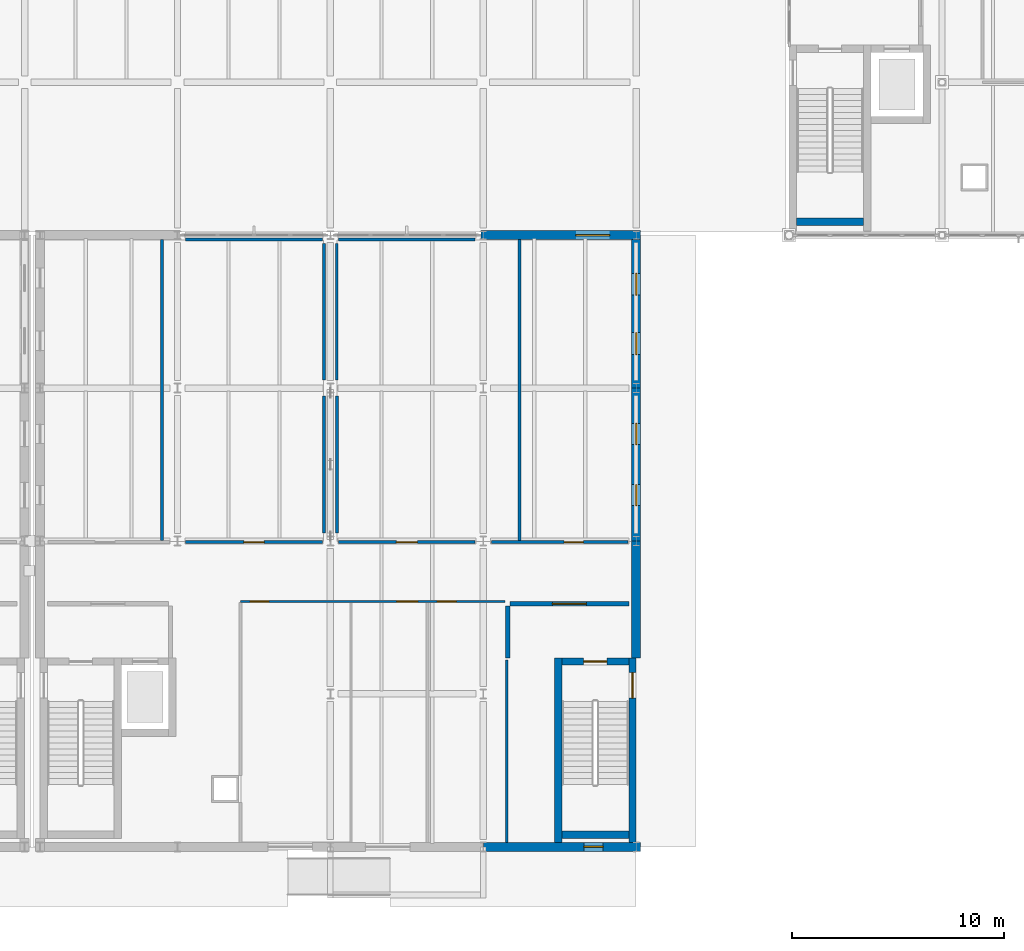
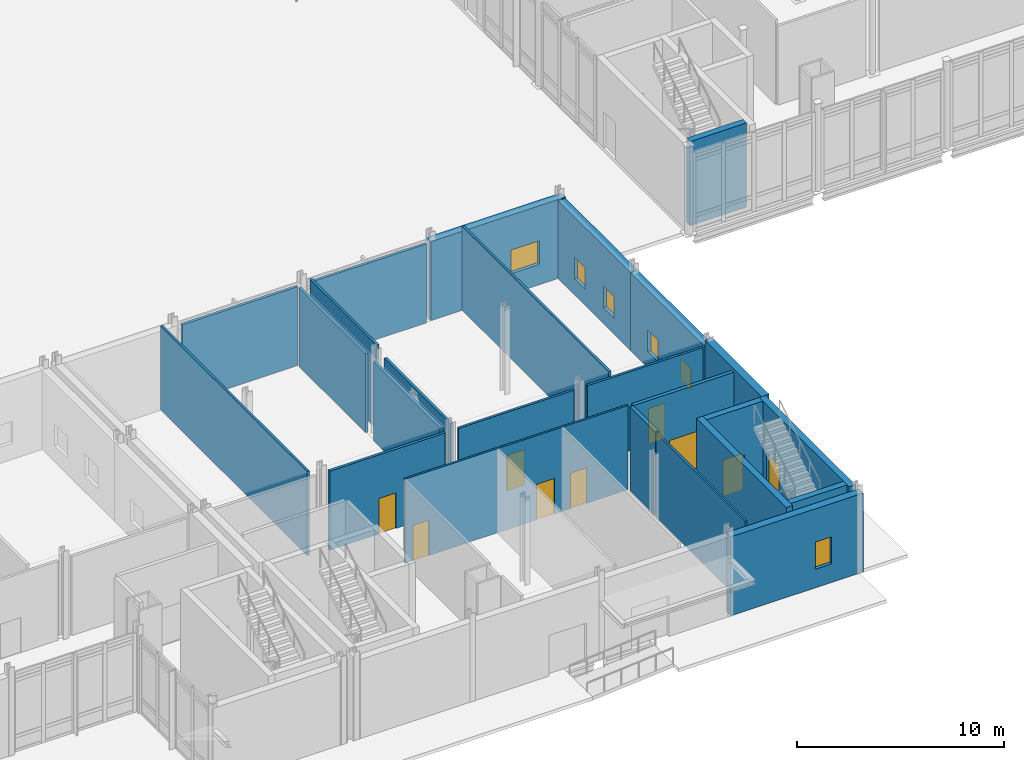
# One storey, part 64 of 89: 25 walls, 9 doors, 6 windows, 15 openings.
"""IFC4 building model written with IfcOpenShell, lengths in metres."""

from ifc_helpers import new_model, si_unit, direction, frame, frame_2d, origin, place, context, subcontext, project, spatial, rectangle, extrude, material, layer, layer_set, type_object, element, fill, save


model = new_model("IFC4")

# Units and contexts
model_context = context("Model", 3, precision=1e-05, world=origin(), true_north=direction((0.0, 1.0)))
body_context = subcontext(model_context, "Body", "Model", "MODEL_VIEW")
ifc_project = project(units=[si_unit("LENGTHUNIT", "METRE"), si_unit("AREAUNIT", "SQUARE_METRE"), si_unit("VOLUMEUNIT", "CUBIC_METRE"), si_unit("PLANEANGLEUNIT", "RADIAN"), si_unit("MASSUNIT", "GRAM", prefix="KILO")], contexts=[model_context])

# Site, building, storey
site_placement = place(None, origin())
site = spatial("IfcSite", under=ifc_project, at=site_placement, CompositionType="ELEMENT")
building_placement = place(site_placement, origin())
building = spatial("IfcBuilding", under=site, at=building_placement, Name="Zarrinpeak Specialist Clinic", CompositionType="ELEMENT")
storey_placement = place(building_placement, origin())
storey = spatial("IfcBuildingStorey", under=building, at=storey_placement, Name="L00", CompositionType="ELEMENT", Elevation=0.0)

# Walls
ifc_material_1 = material(Name="Concrete C40/50", Category="concrete")
ifc_layer_1 = layer(ifc_material_1, 0.35009765625)
ifc_layer_set_1 = layer_set([ifc_layer_1], Name="Concrete C40/50")
wall_type_1 = type_object("IfcWallType", Name="WL-CR350", PredefinedType="SHEAR", material=ifc_layer_set_1)
for number, where, z_axis, x_axis, name in (
    (1, (93.949951171875, 29.425048828125, 0.0), (0.0, 0.0, 1.0), (1.0, 0.0, 0.0), "L00 Core C05 Shear Wall STS"),
    (2, (82.89990234375, 0.574951171875, 0.0), (0.0, 0.0, 1.0), (1.0, 0.0, 0.0), "L00 Core C08 Shear Wall STS"),
):
    element("IfcWall", number, at=place(storey_placement, frame(where, z_axis=z_axis, x_axis=x_axis)), inside=storey, type_object=wall_type_1, Name=name, PredefinedType="SHEAR", context=body_context, shape_type="SweptSolid", body=[
        extrude(rectangle(XDim=3.150146484375, YDim=0.35009765625, at=frame_2d((1.5751953125, 0.0))), origin(), (0.0, 0.0, 1.0), 4.969970703125),
    ])

# Wall, opening, door
wall_1_placement = place(storey_placement, frame((82.89990234375, 8.72509765625, 0.0), z_axis=(0.0, 0.0, 1.0), x_axis=(1.0, 0.0, 0.0)))
wall_1 = element("IfcWall", 3, at=wall_1_placement, inside=storey, type_object=wall_type_1, Name="L00 Core C08 Shear Wall STN", PredefinedType="SHEAR", context=body_context, shape_type="SweptSolid", body=[
    extrude(rectangle(XDim=3.150146484375, YDim=0.35009765625, at=frame_2d((1.5751953125, 0.0))), origin(), (0.0, 0.0, 1.0), 4.969970703125),
])
opening_1_placement = place(wall_1_placement, frame((1.02490234375, 0.0, 0.0)))
opening_1 = element("IfcOpeningElement", 4, at=opening_1_placement, cuts=wall_1, Name="Opening D-S02", PredefinedType="OPENING", context=body_context, shape_type="SweptSolid", body=[
    extrude(rectangle(XDim=1.10009765625, YDim=2.14990234375, at=frame_2d((0.550048828125, 1.074951171875))), frame((0.0, 0.18505859375, 0.0), z_axis=(0.0, -1.0, 0.0), x_axis=(1.0, 0.0, 0.0)), (0.0, 0.0, 1.0), 0.3701171875),
])
ifc_material_2 = material(Name="Powder-Coated Galvanised Steel", Category="steel")
door_type_1 = type_object("IfcDoorType", Name="DR-FD110", OperationType="SINGLE_SWING_RIGHT", PredefinedType="DOOR", material=ifc_material_2)
door_1_placement = place(opening_1_placement, frame((1.10009765625, 0.0, 0.0), z_axis=(0.0, 0.0, 1.0), x_axis=(-1.0, 0.0, 0.0)))
door_1 = element("IfcDoor", 5, at=door_1_placement, inside=storey, type_object=door_type_1, Name="L00 Protected Stair ST-08 Fire Door", OperationType="SINGLE_SWING_RIGHT", OverallHeight=2.14990234375, OverallWidth=1.10009765625, PredefinedType="DOOR", context=body_context, shape_type="SweptSolid", body=[
    extrude(rectangle(XDim=1.10009765625, YDim=2.14990234375, at=frame_2d((0.550048828125, 1.074951171875))), frame((0.0, 0.02490234375, 0.0), z_axis=(0.0, -1.0, 0.0), x_axis=(1.0, 0.0, 0.0)), (0.0, 0.0, 1.0), 0.050048828125),
])
fill(opening_1, door_1)

# Wall
wall_2_placement = place(storey_placement, frame((82.72509765625, 0.2099609375, 0.0), z_axis=(0.0, 0.0, 1.0), x_axis=(0.0, 1.0, 0.0)))
element("IfcWall", 6, at=wall_2_placement, inside=storey, type_object=wall_type_1, Name="L00 Core C08 Shear Wall STW", PredefinedType="SHEAR", context=body_context, shape_type="SweptSolid", body=[
    extrude(rectangle(XDim=8.68994140625, YDim=0.35009765625, at=frame_2d((4.344970703125, 0.0))), origin(), (0.0, 0.0, 1.0), 4.969970703125),
])

# Wall, opening, door
wall_3_placement = place(storey_placement, frame((86.22509765625, 0.2099609375, 0.0), z_axis=(0.0, 0.0, 1.0), x_axis=(0.0, 1.0, 0.0)))
wall_3 = element("IfcWall", 7, at=wall_3_placement, inside=storey, type_object=wall_type_1, Name="L00 Core C08 Shear Wall STE", PredefinedType="SHEAR", context=body_context, shape_type="SweptSolid", body=[
    extrude(rectangle(XDim=8.68994140625, YDim=0.35009765625, at=frame_2d((4.344970703125, 0.0))), origin(), (0.0, 0.0, 1.0), 4.969970703125),
])
opening_2_placement = place(wall_3_placement, frame((6.7900390625, 0.0, 0.0)))
opening_2 = element("IfcOpeningElement", 8, at=opening_2_placement, cuts=wall_3, Name="Opening D-EX2", PredefinedType="OPENING", context=body_context, shape_type="SweptSolid", body=[
    extrude(rectangle(XDim=1.199951171875, YDim=2.14990234375, at=frame_2d((0.60009765625, 1.074951171875))), frame((0.0, 0.18505859375, 0.0), z_axis=(0.0, -1.0, 0.0), x_axis=(1.0, 0.0, 0.0)), (0.0, 0.0, 1.0), 0.3701171875),
])
ifc_material_3 = material(Name="Powder-Coated Steel and Safety Glazing", Category="steel")
door_type_2 = type_object("IfcDoorType", Name="DR-EX120", OperationType="SINGLE_SWING_LEFT", PredefinedType="DOOR", material=ifc_material_3)
door_2_placement = place(opening_2_placement, frame((1.199951171875, 0.0, 0.0), z_axis=(0.0, 0.0, 1.0), x_axis=(-1.0, 0.0, 0.0)))
door_2 = element("IfcDoor", 9, at=door_2_placement, inside=storey, type_object=door_type_2, Name="L00 Protected Stair ST-08 Final Exit Discharge Door ED-08", OperationType="SINGLE_SWING_LEFT", OverallHeight=2.14990234375, OverallWidth=1.199951171875, PredefinedType="DOOR", context=body_context, shape_type="SweptSolid", body=[
    extrude(rectangle(XDim=1.199951171875, YDim=2.14990234375, at=frame_2d((0.60009765625, 1.074951171875))), frame((0.0, 0.02490234375, 0.0), z_axis=(0.0, -1.0, 0.0), x_axis=(1.0, 0.0, 0.0)), (0.0, 0.0, 1.0), 0.050048828125),
])
fill(opening_2, door_2)

# Wall, opening, window
ifc_material_4 = material(Name="Precast concrete C40/50", Category="concrete")
ifc_layer_2 = layer(ifc_material_4, 0.419921875)
ifc_layer_set_2 = layer_set([ifc_layer_2], Name="Precast concrete C40/50")
wall_type_2 = type_object("IfcWallType", Name="WL-EW420", PredefinedType="STANDARD", material=ifc_layer_set_2)
wall_4_placement = place(storey_placement, frame((79.199951171875, 0.0, 0.0), z_axis=(0.0, 0.0, 1.0), x_axis=(1.0, 0.0, 0.0)))
wall_4 = element("IfcWall", 10, at=wall_4_placement, inside=storey, type_object=wall_type_2, Name="L00 V4 Exterior GRC Wall EW-L00-V4-0154", PredefinedType="STANDARD", context=body_context, shape_type="SweptSolid", body=[
    extrude(rectangle(XDim=7.41015625, YDim=0.419921875, at=frame_2d((3.705078125, 0.0))), origin(), (0.0, 0.0, 1.0), 4.6650390625),
])
opening_3_placement = place(wall_4_placement, frame((4.737060546875, 0.0, 1.10009765625)))
opening_3 = element("IfcOpeningElement", 11, at=opening_3_placement, cuts=wall_4, Name="Opening W-07", PredefinedType="OPENING", context=body_context, shape_type="SweptSolid", body=[
    extrude(rectangle(XDim=0.89990234375, YDim=1.60009765625, at=frame_2d((0.449951171875, 0.800048828125))), frame((0.0, 0.219970703125, 0.0), z_axis=(0.0, -1.0, 0.0), x_axis=(1.0, 0.0, 0.0)), (0.0, 0.0, 1.0), 0.43994140625),
])
ifc_material_5 = material(Name="Thermally Broken Aluminium and Low-E Glazing", Category="aluminium")
window_type_1 = type_object("IfcWindowType", Name="WN-OBS90", PartitioningType="SINGLE_PANEL", PredefinedType="WINDOW", material=ifc_material_5)
window_1_placement = place(opening_3_placement, origin())
window_1 = element("IfcWindow", 12, at=window_1_placement, inside=storey, type_object=window_type_1, Name="L00 Modular Facade Window WN-L00-0184", OverallHeight=1.60009765625, OverallWidth=0.89990234375, PartitioningType="SINGLE_PANEL", PredefinedType="WINDOW", context=body_context, shape_type="SweptSolid", body=[
    extrude(rectangle(XDim=0.89990234375, YDim=1.60009765625, at=frame_2d((0.449951171875, 0.800048828125))), frame((0.0, 0.030029296875, 0.0), z_axis=(0.0, -1.0, 0.0), x_axis=(1.0, 0.0, 0.0)), (0.0, 0.0, 1.0), 0.06005859375),
])
fill(opening_3, window_1)

wall_5_placement = place(storey_placement, frame((86.610107421875, 28.800048828125, 0.0), z_axis=(0.0, 0.0, 1.0), x_axis=(-1.0, 0.0, 0.0)))
wall_5 = element("IfcWall", 13, at=wall_5_placement, inside=storey, type_object=wall_type_2, Name="L00 V4 Exterior GRC Wall EW-L00-V4-0156", PredefinedType="STANDARD", context=body_context, shape_type="SweptSolid", body=[
    extrude(rectangle(XDim=7.52001953125, YDim=0.419921875, at=frame_2d((3.760009765625, 0.0))), origin(), (0.0, 0.0, 1.0), 4.6650390625),
])
opening_4_placement = place(wall_5_placement, frame((1.4560546875, 0.0, 1.199951171875)))
opening_4 = element("IfcOpeningElement", 14, at=opening_4_placement, cuts=wall_5, Name="Opening W-10", PredefinedType="OPENING", context=body_context, shape_type="SweptSolid", body=[
    extrude(rectangle(XDim=1.60009765625, YDim=1.39990234375, at=frame_2d((0.800048828125, 0.699951171875))), frame((0.0, 0.219970703125, 0.0), z_axis=(0.0, -1.0, 0.0), x_axis=(1.0, 0.0, 0.0)), (0.0, 0.0, 1.0), 0.43994140625),
])
window_type_2 = type_object("IfcWindowType", Name="WN-NRS160", PartitioningType="SINGLE_PANEL", PredefinedType="WINDOW", material=ifc_material_5)
window_2_placement = place(opening_4_placement, origin())
window_2 = element("IfcWindow", 15, at=window_2_placement, inside=storey, type_object=window_type_2, Name="L00 Modular Facade Window WN-L00-0185", OverallHeight=1.39990234375, OverallWidth=1.60009765625, PartitioningType="SINGLE_PANEL", PredefinedType="WINDOW", context=body_context, shape_type="SweptSolid", body=[
    extrude(rectangle(XDim=1.60009765625, YDim=1.39990234375, at=frame_2d((0.800048828125, 0.699951171875))), frame((0.0, 0.030029296875, 0.0), z_axis=(0.0, -1.0, 0.0), x_axis=(1.0, 0.0, 0.0)), (0.0, 0.0, 1.0), 0.06005859375),
])
fill(opening_4, window_2)

# Wall
wall_6_placement = place(storey_placement, frame((86.39990234375, 8.89990234375, 0.0), z_axis=(0.0, 0.0, 1.0), x_axis=(0.0, 1.0, 0.0)))
element("IfcWall", 16, at=wall_6_placement, inside=storey, type_object=wall_type_2, Name="L00 V4 Exterior GRC Wall EW-L00-V4-0161", PredefinedType="STANDARD", context=body_context, shape_type="SweptSolid", body=[
    extrude(rectangle(XDim=5.5, YDim=0.419921875, at=frame_2d((2.75, 0.0))), origin(), (0.0, 0.0, 1.0), 4.969970703125),
])

# Wall, openings, windows
wall_7_placement = place(storey_placement, frame((86.39990234375, 14.39990234375, 0.0), z_axis=(0.0, 0.0, 1.0), x_axis=(0.0, 1.0, 0.0)))
wall_7 = element("IfcWall", 17, at=wall_7_placement, inside=storey, type_object=wall_type_2, Name="L00 V4 Exterior GRC Wall EW-L00-V4-0162", PredefinedType="STANDARD", context=body_context, shape_type="SweptSolid", body=[
    extrude(rectangle(XDim=7.2001953125, YDim=0.419921875, at=frame_2d((3.60009765625, 0.0))), origin(), (0.0, 0.0, 1.0), 4.594970703125),
])
opening_5_placement = place(wall_7_placement, frame((1.662109375, 0.0, 0.949951171875)))
opening_5 = element("IfcOpeningElement", 18, at=opening_5_placement, cuts=wall_7, Name="Opening WS-05", PredefinedType="OPENING", context=body_context, shape_type="SweptSolid", body=[
    extrude(rectangle(XDim=0.99609375, YDim=1.260009765625, at=frame_2d((0.498046875, 0.6298828125))), frame((0.0, 0.219970703125, 0.0), z_axis=(0.0, -1.0, 0.0), x_axis=(1.0, 0.0, 0.0)), (0.0, 0.0, 1.0), 0.43994140625),
])
opening_6_placement = place(wall_7_placement, frame((4.5419921875, 0.0, 0.949951171875)))
opening_6 = element("IfcOpeningElement", 19, at=opening_6_placement, cuts=wall_7, Name="Opening WS-05", PredefinedType="OPENING", context=body_context, shape_type="SweptSolid", body=[
    extrude(rectangle(XDim=0.99609375, YDim=1.260009765625, at=frame_2d((0.498046875, 0.6298828125))), frame((0.0, 0.219970703125, 0.0), z_axis=(0.0, -1.0, 0.0), x_axis=(1.0, 0.0, 0.0)), (0.0, 0.0, 1.0), 0.43994140625),
])
window_type_3 = type_object("IfcWindowType", Name="WN-SP05", PartitioningType="SINGLE_PANEL", PredefinedType="WINDOW", material=ifc_material_5)
window_3_placement = place(opening_5_placement, origin())
window_3 = element("IfcWindow", 20, at=window_3_placement, inside=storey, type_object=window_type_3, Name="L00 Modular Facade Window WN-L00-0190", OverallHeight=1.260009765625, OverallWidth=0.99609375, PartitioningType="SINGLE_PANEL", PredefinedType="WINDOW", context=body_context, shape_type="SweptSolid", body=[
    extrude(rectangle(XDim=0.99609375, YDim=1.260009765625, at=frame_2d((0.498046875, 0.6298828125))), frame((0.0, 0.030029296875, 0.0), z_axis=(0.0, -1.0, 0.0), x_axis=(1.0, 0.0, 0.0)), (0.0, 0.0, 1.0), 0.06005859375),
])
fill(opening_5, window_3)
window_4_placement = place(opening_6_placement, origin())
window_4 = element("IfcWindow", 21, at=window_4_placement, inside=storey, type_object=window_type_3, Name="L00 Modular Facade Window WN-L00-0191", OverallHeight=1.260009765625, OverallWidth=0.99609375, PartitioningType="SINGLE_PANEL", PredefinedType="WINDOW", context=body_context, shape_type="SweptSolid", body=[
    extrude(rectangle(XDim=0.99609375, YDim=1.260009765625, at=frame_2d((0.498046875, 0.6298828125))), frame((0.0, 0.030029296875, 0.0), z_axis=(0.0, -1.0, 0.0), x_axis=(1.0, 0.0, 0.0)), (0.0, 0.0, 1.0), 0.06005859375),
])
fill(opening_6, window_4)

wall_8_placement = place(storey_placement, frame((86.39990234375, 21.60009765625, 0.0), z_axis=(0.0, 0.0, 1.0), x_axis=(0.0, 1.0, 0.0)))
wall_8 = element("IfcWall", 22, at=wall_8_placement, inside=storey, type_object=wall_type_2, Name="L00 V4 Exterior GRC Wall EW-L00-V4-0163", PredefinedType="STANDARD", context=body_context, shape_type="SweptSolid", body=[
    extrude(rectangle(XDim=6.989990234375, YDim=0.419921875, at=frame_2d((3.4951171875, 0.0))), origin(), (0.0, 0.0, 1.0), 4.594970703125),
])
opening_7_placement = place(wall_8_placement, frame((1.58203125, 0.0, 0.949951171875)))
opening_7 = element("IfcOpeningElement", 23, at=opening_7_placement, cuts=wall_8, Name="Opening WS-06", PredefinedType="OPENING", context=body_context, shape_type="SweptSolid", body=[
    extrude(rectangle(XDim=1.030029296875, YDim=1.260009765625, at=frame_2d((0.51513671875, 0.6298828125))), frame((0.0, 0.219970703125, 0.0), z_axis=(0.0, -1.0, 0.0), x_axis=(1.0, 0.0, 0.0)), (0.0, 0.0, 1.0), 0.43994140625),
])
opening_8_placement = place(wall_8_placement, frame((4.3779296875, 0.0, 0.949951171875)))
opening_8 = element("IfcOpeningElement", 24, at=opening_8_placement, cuts=wall_8, Name="Opening WS-06", PredefinedType="OPENING", context=body_context, shape_type="SweptSolid", body=[
    extrude(rectangle(XDim=1.030029296875, YDim=1.260009765625, at=frame_2d((0.51513671875, 0.6298828125))), frame((0.0, 0.219970703125, 0.0), z_axis=(0.0, -1.0, 0.0), x_axis=(1.0, 0.0, 0.0)), (0.0, 0.0, 1.0), 0.43994140625),
])
window_type_4 = type_object("IfcWindowType", Name="WN-SP06", PartitioningType="SINGLE_PANEL", PredefinedType="WINDOW", material=ifc_material_5)
window_5_placement = place(opening_7_placement, origin())
window_5 = element("IfcWindow", 25, at=window_5_placement, inside=storey, type_object=window_type_4, Name="L00 Modular Facade Window WN-L00-0192", OverallHeight=1.260009765625, OverallWidth=1.030029296875, PartitioningType="SINGLE_PANEL", PredefinedType="WINDOW", context=body_context, shape_type="SweptSolid", body=[
    extrude(rectangle(XDim=1.030029296875, YDim=1.260009765625, at=frame_2d((0.51513671875, 0.6298828125))), frame((0.0, 0.030029296875, 0.0), z_axis=(0.0, -1.0, 0.0), x_axis=(1.0, 0.0, 0.0)), (0.0, 0.0, 1.0), 0.06005859375),
])
fill(opening_7, window_5)
window_6_placement = place(opening_8_placement, origin())
window_6 = element("IfcWindow", 26, at=window_6_placement, inside=storey, type_object=window_type_4, Name="L00 Modular Facade Window WN-L00-0193", OverallHeight=1.260009765625, OverallWidth=1.030029296875, PartitioningType="SINGLE_PANEL", PredefinedType="WINDOW", context=body_context, shape_type="SweptSolid", body=[
    extrude(rectangle(XDim=1.030029296875, YDim=1.260009765625, at=frame_2d((0.51513671875, 0.6298828125))), frame((0.0, 0.030029296875, 0.0), z_axis=(0.0, -1.0, 0.0), x_axis=(1.0, 0.0, 0.0)), (0.0, 0.0, 1.0), 0.06005859375),
])
fill(opening_8, window_6)

# Wall, openings, doors
ifc_material_6 = material(Name="Sanitary Service Chase Plumbing Wall", Category="gypsum")
ifc_layer_3 = layer(ifc_material_6, 0.110107421875)
ifc_layer_set_3 = layer_set([ifc_layer_3], Name="Sanitary Service Chase Plumbing Wall")
wall_type_3 = type_object("IfcWallType", Name="WL-IW110", PredefinedType="PARTITIONING", material=ifc_layer_set_3)
wall_9_placement = place(storey_placement, frame((67.77001953125, 11.550048828125, 0.0), z_axis=(0.0, 0.0, 1.0), x_axis=(1.0, 0.0, 0.0)))
wall_9 = element("IfcWall", 27, at=wall_9_placement, inside=storey, type_object=wall_type_3, Name="L00 Accessible Patient WC Partition", PredefinedType="PARTITIONING", context=body_context, shape_type="SweptSolid", body=[
    extrude(rectangle(XDim=12.4599609375, YDim=0.110107421875, at=frame_2d((6.22998046875, 0.0))), origin(), (0.0, 0.0, 1.0), 4.969970703125),
])
opening_9_placement = place(wall_9_placement, frame((7.35009765625, 0.0, 0.0)))
opening_9 = element("IfcOpeningElement", 28, at=opening_9_placement, cuts=wall_9, Name="Opening D-W02", PredefinedType="OPENING", context=body_context, shape_type="SweptSolid", body=[
    extrude(rectangle(XDim=1.0, YDim=2.10009765625, at=frame_2d((0.5, 1.050048828125))), frame((0.0, 0.06494140625, 0.0), z_axis=(0.0, -1.0, 0.0), x_axis=(1.0, 0.0, 0.0)), (0.0, 0.0, 1.0), 0.130126953125),
])
opening_10_placement = place(wall_9_placement, frame((9.25, 0.0, 0.0)))
opening_10 = element("IfcOpeningElement", 29, at=opening_10_placement, cuts=wall_9, Name="Opening D-W01", PredefinedType="OPENING", context=body_context, shape_type="SweptSolid", body=[
    extrude(rectangle(XDim=0.89990234375, YDim=2.10009765625, at=frame_2d((0.449951171875, 1.050048828125))), frame((0.0, 0.06494140625, 0.0), z_axis=(0.0, -1.0, 0.0), x_axis=(1.0, 0.0, 0.0)), (0.0, 0.0, 1.0), 0.130126953125),
])
opening_11_placement = place(wall_9_placement, frame((0.449951171875, 0.0, 0.0)))
opening_11 = element("IfcOpeningElement", 30, at=opening_11_placement, cuts=wall_9, Name="Opening DS-27", PredefinedType="OPENING", context=body_context, shape_type="SweptSolid", body=[
    extrude(rectangle(XDim=0.8798828125, YDim=2.095947265625, at=frame_2d((0.43994140625, 1.0478515625))), frame((0.0, 0.06494140625, 0.0), z_axis=(0.0, -1.0, 0.0), x_axis=(1.0, 0.0, 0.0)), (0.0, 0.0, 1.0), 0.130126953125),
])
door_type_3 = type_object("IfcDoorType", Name="DR-AWC100", OperationType="SLIDING_TO_LEFT", PredefinedType="DOOR", material=ifc_material_2)
door_3_placement = place(opening_9_placement, origin())
door_3 = element("IfcDoor", 31, at=door_3_placement, inside=storey, type_object=door_type_3, Name="L00 Accessible Patient WC Door", OperationType="SLIDING_TO_LEFT", OverallHeight=2.10009765625, OverallWidth=1.0, PredefinedType="DOOR", context=body_context, shape_type="SweptSolid", body=[
    extrude(rectangle(XDim=1.0, YDim=2.10009765625, at=frame_2d((0.5, 1.050048828125))), frame((0.0, 0.02490234375, 0.0), z_axis=(0.0, -1.0, 0.0), x_axis=(1.0, 0.0, 0.0)), (0.0, 0.0, 1.0), 0.050048828125),
])
fill(opening_9, door_3)
door_type_4 = type_object("IfcDoorType", Name="DR-SP27", OperationType="SINGLE_SWING_RIGHT", PredefinedType="DOOR", material=ifc_material_2)
door_4_placement = place(opening_11_placement, origin())
door_4 = element("IfcDoor", 32, at=door_4_placement, inside=storey, type_object=door_type_4, Name="L00 Day Surgery Admissions Lounge Door", OperationType="SINGLE_SWING_RIGHT", OverallHeight=2.095947265625, OverallWidth=0.8798828125, PredefinedType="DOOR", context=body_context, shape_type="SweptSolid", body=[
    extrude(rectangle(XDim=0.8798828125, YDim=2.095947265625, at=frame_2d((0.43994140625, 1.0478515625))), frame((0.0, 0.02490234375, 0.0), z_axis=(0.0, -1.0, 0.0), x_axis=(1.0, 0.0, 0.0)), (0.0, 0.0, 1.0), 0.050048828125),
])
fill(opening_11, door_4)
door_type_5 = type_object("IfcDoorType", Name="DR-WC90", OperationType="SINGLE_SWING_RIGHT", PredefinedType="DOOR", material=ifc_material_2)
door_5_placement = place(opening_10_placement, origin())
door_5 = element("IfcDoor", 33, at=door_5_placement, inside=storey, type_object=door_type_5, Name="L00 Companion Washroom Door", OperationType="SINGLE_SWING_RIGHT", OverallHeight=2.10009765625, OverallWidth=0.89990234375, PredefinedType="DOOR", context=body_context, shape_type="SweptSolid", body=[
    extrude(rectangle(XDim=0.89990234375, YDim=2.10009765625, at=frame_2d((0.449951171875, 1.050048828125))), frame((0.0, 0.02490234375, 0.0), z_axis=(0.0, -1.0, 0.0), x_axis=(1.0, 0.0, 0.0)), (0.0, 0.0, 1.0), 0.050048828125),
])
fill(opening_10, door_5)

# Wall
wall_10_placement = place(storey_placement, frame((80.300048828125, 0.199951171875, 0.0), z_axis=(0.0, 0.0, 1.0), x_axis=(0.0, 1.0, 0.0)))
element("IfcWall", 34, at=wall_10_placement, inside=storey, type_object=wall_type_3, Name="L00 Companion Washroom Dividing Partition", PredefinedType="PARTITIONING", context=body_context, shape_type="SweptSolid", body=[
    extrude(rectangle(XDim=8.60009765625, YDim=0.110107421875, at=frame_2d((4.300048828125, 0.0))), origin(), (0.0, 0.0, 1.0), 4.969970703125),
])

# Wall, opening, door
ifc_material_7 = material(Name="Standard Drywall Partition", Category="gypsum")
ifc_layer_4 = layer(ifc_material_7, 0.135009765625)
ifc_layer_set_4 = layer_set([ifc_layer_4], Name="Standard Drywall Partition")
wall_type_4 = type_object("IfcWallType", Name="WL-IW135", PredefinedType="PARTITIONING", material=ifc_layer_set_4)
wall_11_placement = place(storey_placement, frame((72.3798828125, 14.35009765625, 0.0), z_axis=(0.0, 0.0, 1.0), x_axis=(1.0, 0.0, 0.0)))
wall_11 = element("IfcWall", 35, at=wall_11_placement, inside=storey, type_object=wall_type_4, Name="L00 Pre-Operative Assessment Room Partition", PredefinedType="PARTITIONING", context=body_context, shape_type="SweptSolid", body=[
    extrude(rectangle(XDim=6.440185546875, YDim=0.135009765625, at=frame_2d((3.22021484375, 0.0))), origin(), (0.0, 0.0, 1.0), 4.6650390625),
])
opening_12_placement = place(wall_11_placement, frame((2.72802734375, 0.0, 0.0)))
opening_12 = element("IfcOpeningElement", 36, at=opening_12_placement, cuts=wall_11, Name="Opening DS-31", PredefinedType="OPENING", context=body_context, shape_type="SweptSolid", body=[
    extrude(rectangle(XDim=0.98388671875, YDim=2.095947265625, at=frame_2d((0.491943359375, 1.0478515625))), frame((0.0, 0.07763671875, 0.0), z_axis=(0.0, -1.0, 0.0), x_axis=(1.0, 0.0, 0.0)), (0.0, 0.0, 1.0), 0.155029296875),
])
door_type_6 = type_object("IfcDoorType", Name="DR-SP31", OperationType="SINGLE_SWING_RIGHT", PredefinedType="DOOR", material=ifc_material_2)
door_6_placement = place(opening_12_placement, frame((0.98388671875, 0.0, 0.0), z_axis=(0.0, 0.0, 1.0), x_axis=(-1.0, 0.0, 0.0)))
door_6 = element("IfcDoor", 37, at=door_6_placement, inside=storey, type_object=door_type_6, Name="L00 Specialist Consultation Room 2 Door", OperationType="SINGLE_SWING_RIGHT", OverallHeight=2.095947265625, OverallWidth=0.98388671875, PredefinedType="DOOR", context=body_context, shape_type="SweptSolid", body=[
    extrude(rectangle(XDim=0.98388671875, YDim=2.095947265625, at=frame_2d((0.491943359375, 1.0478515625))), frame((0.0, 0.02490234375, 0.0), z_axis=(0.0, -1.0, 0.0), x_axis=(1.0, 0.0, 0.0)), (0.0, 0.0, 1.0), 0.050048828125),
])
fill(opening_12, door_6)

wall_12_placement = place(storey_placement, frame((79.580078125, 14.35009765625, 0.0), z_axis=(0.0, 0.0, 1.0), x_axis=(1.0, 0.0, 0.0)))
wall_12 = element("IfcWall", 38, at=wall_12_placement, inside=storey, type_object=wall_type_4, Name="L00 Pre-Operative Assessment Room Partition", PredefinedType="PARTITIONING", context=body_context, shape_type="SweptSolid", body=[
    extrude(rectangle(XDim=6.43994140625, YDim=0.135009765625, at=frame_2d((3.219970703125, 0.0))), origin(), (0.0, 0.0, 1.0), 4.6650390625),
])
opening_13_placement = place(wall_12_placement, frame((3.427001953125, 0.0, 0.0)))
opening_13 = element("IfcOpeningElement", 39, at=opening_13_placement, cuts=wall_12, Name="Opening DS-28", PredefinedType="OPENING", context=body_context, shape_type="SweptSolid", body=[
    extrude(rectangle(XDim=0.906005859375, YDim=2.095947265625, at=frame_2d((0.453125, 1.0478515625))), frame((0.0, 0.07763671875, 0.0), z_axis=(0.0, -1.0, 0.0), x_axis=(1.0, 0.0, 0.0)), (0.0, 0.0, 1.0), 0.155029296875),
])
door_type_7 = type_object("IfcDoorType", Name="DR-SP28", OperationType="SINGLE_SWING_LEFT", PredefinedType="DOOR", material=ifc_material_2)
door_7_placement = place(opening_13_placement, frame((0.906005859375, 0.0, 0.0), z_axis=(0.0, 0.0, 1.0), x_axis=(-1.0, 0.0, 0.0)))
door_7 = element("IfcDoor", 40, at=door_7_placement, inside=storey, type_object=door_type_7, Name="L00 Pre-Operative Assessment Room Door", OperationType="SINGLE_SWING_LEFT", OverallHeight=2.095947265625, OverallWidth=0.906005859375, PredefinedType="DOOR", context=body_context, shape_type="SweptSolid", body=[
    extrude(rectangle(XDim=0.906005859375, YDim=2.095947265625, at=frame_2d((0.453125, 1.0478515625))), frame((0.0, 0.02490234375, 0.0), z_axis=(0.0, -1.0, 0.0), x_axis=(1.0, 0.0, 0.0)), (0.0, 0.0, 1.0), 0.050048828125),
])
fill(opening_13, door_7)

# Walls
wall_13_placement = place(storey_placement, frame((64.070068359375, 14.425048828125, 0.0), z_axis=(0.0, 0.0, 1.0), x_axis=(0.0, 1.0, 0.0)))
element("IfcWall", 41, at=wall_13_placement, inside=storey, type_object=wall_type_4, Name="L00 Discharge Lounge Dividing Partition", PredefinedType="PARTITIONING", context=body_context, shape_type="SweptSolid", body=[
    extrude(rectangle(XDim=14.175048828125, YDim=0.135009765625, at=frame_2d((7.08740234375, 0.0))), origin(), (0.0, 0.0, 1.0), 4.969970703125),
])
wall_14_placement = place(storey_placement, frame((72.300048828125, 21.97998046875, 0.0), z_axis=(0.0, 0.0, 1.0), x_axis=(0.0, 1.0, 0.0)))
element("IfcWall", 42, at=wall_14_placement, inside=storey, type_object=wall_type_4, Name="L00 Specialist Consultation Room 2 Dividing Partition", PredefinedType="PARTITIONING", context=body_context, shape_type="SweptSolid", body=[
    extrude(rectangle(XDim=6.43994140625, YDim=0.135009765625, at=frame_2d((3.219970703125, 0.0))), origin(), (0.0, 0.0, 1.0), 4.969970703125),
])
wall_15_placement = place(storey_placement, frame((80.89990234375, 14.41748046875, 0.0), z_axis=(0.0, 0.0, 1.0), x_axis=(0.0, 1.0, 0.0)))
element("IfcWall", 43, at=wall_15_placement, inside=storey, type_object=wall_type_4, Name="L00 Pre-Operative Assessment Room Dividing Partition", PredefinedType="PARTITIONING", context=body_context, shape_type="SweptSolid", body=[
    extrude(rectangle(XDim=14.1826171875, YDim=0.135009765625, at=frame_2d((7.09130859375, 0.0))), origin(), (0.0, 0.0, 1.0), 4.969970703125),
])
ifc_material_8 = material(Name="Acoustic Consultation Stud Partition", Category="gypsum")
ifc_layer_5 = layer(ifc_material_8, 0.14208984375)
ifc_layer_set_5 = layer_set([ifc_layer_5], Name="Acoustic Consultation Stud Partition")
wall_type_5 = type_object("IfcWallType", Name="WL-IW142", PredefinedType="PARTITIONING", material=ifc_layer_set_5)
wall_16_placement = place(storey_placement, frame((72.3798828125, 28.60009765625, 0.0), z_axis=(0.0, 0.0, 1.0), x_axis=(1.0, 0.0, 0.0)))
element("IfcWall", 44, at=wall_16_placement, inside=storey, type_object=wall_type_5, Name="L00 Specialist Consultation Room 2 Partition", PredefinedType="PARTITIONING", context=body_context, shape_type="SweptSolid", body=[
    extrude(rectangle(XDim=6.440185546875, YDim=0.14208984375, at=frame_2d((3.22021484375, 0.0))), origin(), (0.0, 0.0, 1.0), 4.6650390625),
])
wall_17_placement = place(storey_placement, frame((72.300048828125, 14.780029296875, 0.0), z_axis=(0.0, 0.0, 1.0), x_axis=(0.0, 1.0, 0.0)))
element("IfcWall", 45, at=wall_17_placement, inside=storey, type_object=wall_type_5, Name="L00 Specialist Consultation Room 2 Dividing Partition", PredefinedType="PARTITIONING", context=body_context, shape_type="SweptSolid", body=[
    extrude(rectangle(XDim=6.43994140625, YDim=0.14208984375, at=frame_2d((3.219970703125, 0.0))), origin(), (0.0, 0.0, 1.0), 4.6650390625),
])

# Wall, opening, door
ifc_material_9 = material(Name="Insulated Clinical Gypsum Stud Partition", Category="gypsum")
ifc_layer_6 = layer(ifc_material_9, 0.14990234375)
ifc_layer_set_6 = layer_set([ifc_layer_6], Name="Insulated Clinical Gypsum Stud Partition")
wall_type_6 = type_object("IfcWallType", Name="WL-IW150", PredefinedType="PARTITIONING", material=ifc_layer_set_6)
wall_18_placement = place(storey_placement, frame((65.179931640625, 14.35009765625, 0.0), z_axis=(0.0, 0.0, 1.0), x_axis=(1.0, 0.0, 0.0)))
wall_18 = element("IfcWall", 46, at=wall_18_placement, inside=storey, type_object=wall_type_6, Name="L00 Discharge Lounge Partition", PredefinedType="PARTITIONING", context=body_context, shape_type="SweptSolid", body=[
    extrude(rectangle(XDim=6.440185546875, YDim=0.14990234375, at=frame_2d((3.22021484375, 0.0))), origin(), (0.0, 0.0, 1.0), 4.6650390625),
])
opening_14_placement = place(wall_18_placement, frame((2.740966796875, 0.0, 0.0)))
opening_14 = element("IfcOpeningElement", 47, at=opening_14_placement, cuts=wall_18, Name="Opening DS-30", PredefinedType="OPENING", context=body_context, shape_type="SweptSolid", body=[
    extrude(rectangle(XDim=0.9580078125, YDim=2.095947265625, at=frame_2d((0.47900390625, 1.0478515625))), frame((0.0, 0.0849609375, 0.0), z_axis=(0.0, -1.0, 0.0), x_axis=(1.0, 0.0, 0.0)), (0.0, 0.0, 1.0), 0.169921875),
])
door_type_8 = type_object("IfcDoorType", Name="DR-SP30", OperationType="SINGLE_SWING_LEFT", PredefinedType="DOOR", material=ifc_material_2)
door_8_placement = place(opening_14_placement, frame((0.9580078125, 0.0, 0.0), z_axis=(0.0, 0.0, 1.0), x_axis=(-1.0, 0.0, 0.0)))
door_8 = element("IfcDoor", 48, at=door_8_placement, inside=storey, type_object=door_type_8, Name="L00 Specialist Consultation Room 1 Door", OperationType="SINGLE_SWING_LEFT", OverallHeight=2.095947265625, OverallWidth=0.9580078125, PredefinedType="DOOR", context=body_context, shape_type="SweptSolid", body=[
    extrude(rectangle(XDim=0.9580078125, YDim=2.095947265625, at=frame_2d((0.47900390625, 1.0478515625))), frame((0.0, 0.02490234375, 0.0), z_axis=(0.0, -1.0, 0.0), x_axis=(1.0, 0.0, 0.0)), (0.0, 0.0, 1.0), 0.050048828125),
])
fill(opening_14, door_8)

# Walls
wall_19_placement = place(storey_placement, frame((65.179931640625, 28.60009765625, 0.0), z_axis=(0.0, 0.0, 1.0), x_axis=(1.0, 0.0, 0.0)))
element("IfcWall", 49, at=wall_19_placement, inside=storey, type_object=wall_type_6, Name="L00 Specialist Consultation Room 1 Partition", PredefinedType="PARTITIONING", context=body_context, shape_type="SweptSolid", body=[
    extrude(rectangle(XDim=6.440185546875, YDim=0.14990234375, at=frame_2d((3.22021484375, 0.0))), origin(), (0.0, 0.0, 1.0), 4.6650390625),
])
wall_20_placement = place(storey_placement, frame((71.699951171875, 21.97998046875, 0.0), z_axis=(0.0, 0.0, 1.0), x_axis=(0.0, 1.0, 0.0)))
element("IfcWall", 50, at=wall_20_placement, inside=storey, type_object=wall_type_6, Name="L00 Specialist Consultation Room 1 Dividing Partition", PredefinedType="PARTITIONING", context=body_context, shape_type="SweptSolid", body=[
    extrude(rectangle(XDim=6.43994140625, YDim=0.14990234375, at=frame_2d((3.219970703125, 0.0))), origin(), (0.0, 0.0, 1.0), 4.6650390625),
])
ifc_material_10 = material(Name="Acoustic Double Gypsum Stud Partition", Category="gypsum")
ifc_layer_7 = layer(ifc_material_10, 0.159912109375)
ifc_layer_set_7 = layer_set([ifc_layer_7], Name="Acoustic Double Gypsum Stud Partition")
wall_type_7 = type_object("IfcWallType", Name="WL-IW160", PredefinedType="PARTITIONING", material=ifc_layer_set_7)
wall_21_placement = place(storey_placement, frame((71.699951171875, 14.780029296875, 0.0), z_axis=(0.0, 0.0, 1.0), x_axis=(0.0, 1.0, 0.0)))
element("IfcWall", 51, at=wall_21_placement, inside=storey, type_object=wall_type_7, Name="L00 Specialist Consultation Room 1 Dividing Partition", PredefinedType="PARTITIONING", context=body_context, shape_type="SweptSolid", body=[
    extrude(rectangle(XDim=6.43994140625, YDim=0.159912109375, at=frame_2d((3.219970703125, 0.0))), origin(), (0.0, 0.0, 1.0), 4.6650390625),
])

# Wall, opening, door
ifc_material_11 = material(Name="Autoclaved Aerated Concrete Blockwork", Category="masonry")
ifc_layer_8 = layer(ifc_material_11, 0.199951171875)
ifc_layer_set_8 = layer_set([ifc_layer_8], Name="Autoclaved Aerated Concrete Blockwork")
wall_type_8 = type_object("IfcWallType", Name="WL-IW200", PredefinedType="PARTITIONING", material=ifc_layer_set_8)
wall_22_placement = place(storey_placement, frame((80.449951171875, 11.449951171875, 0.0), z_axis=(0.0, 0.0, 1.0), x_axis=(1.0, 0.0, 0.0)))
wall_22 = element("IfcWall", 52, at=wall_22_placement, inside=storey, type_object=wall_type_8, Name="L00 C08 Protected Lobby Partition LBF", PredefinedType="PARTITIONING", context=body_context, shape_type="SweptSolid", body=[
    extrude(rectangle(XDim=5.60009765625, YDim=0.199951171875, at=frame_2d((2.800048828125, 0.0))), origin(), (0.0, 0.0, 1.0), 4.969970703125),
])
opening_15_placement = place(wall_22_placement, frame((2.0, 0.0, 0.0)))
opening_15 = element("IfcOpeningElement", 53, at=opening_15_placement, cuts=wall_22, Name="Opening D-L01", PredefinedType="OPENING", context=body_context, shape_type="SweptSolid", body=[
    extrude(rectangle(XDim=1.60009765625, YDim=2.199951171875, at=frame_2d((0.800048828125, 1.10009765625))), frame((0.0, 0.10986328125, 0.0), z_axis=(0.0, -1.0, 0.0), x_axis=(1.0, 0.0, 0.0)), (0.0, 0.0, 1.0), 0.219970703125),
])
door_type_9 = type_object("IfcDoorType", Name="DR-LB160", OperationType="DOUBLE_DOOR_SINGLE_SWING", PredefinedType="DOOR", material=ifc_material_2)
door_9_placement = place(opening_15_placement, origin())
door_9 = element("IfcDoor", 54, at=door_9_placement, inside=storey, type_object=door_type_9, Name="L00 C08 Lobby Hold-Open Fire Door", OperationType="DOUBLE_DOOR_SINGLE_SWING", OverallHeight=2.199951171875, OverallWidth=1.60009765625, PredefinedType="DOOR", context=body_context, shape_type="SweptSolid", body=[
    extrude(rectangle(XDim=1.60009765625, YDim=2.199951171875, at=frame_2d((0.800048828125, 1.10009765625))), frame((0.0, 0.02490234375, 0.0), z_axis=(0.0, -1.0, 0.0), x_axis=(1.0, 0.0, 0.0)), (0.0, 0.0, 1.0), 0.050048828125),
])
fill(opening_15, door_9)

# Wall
wall_23_placement = place(storey_placement, frame((80.35009765625, 8.89990234375, 0.0), z_axis=(0.0, 0.0, 1.0), x_axis=(0.0, 1.0, 0.0)))
element("IfcWall", 55, at=wall_23_placement, inside=storey, type_object=wall_type_8, Name="L00 C08 Protected Lobby Partition LBW", PredefinedType="PARTITIONING", context=body_context, shape_type="SweptSolid", body=[
    extrude(rectangle(XDim=2.4501953125, YDim=0.199951171875, at=frame_2d((1.22509765625, 0.0))), origin(), (0.0, 0.0, 1.0), 4.969970703125),
])

save(model, "model.ifc")
